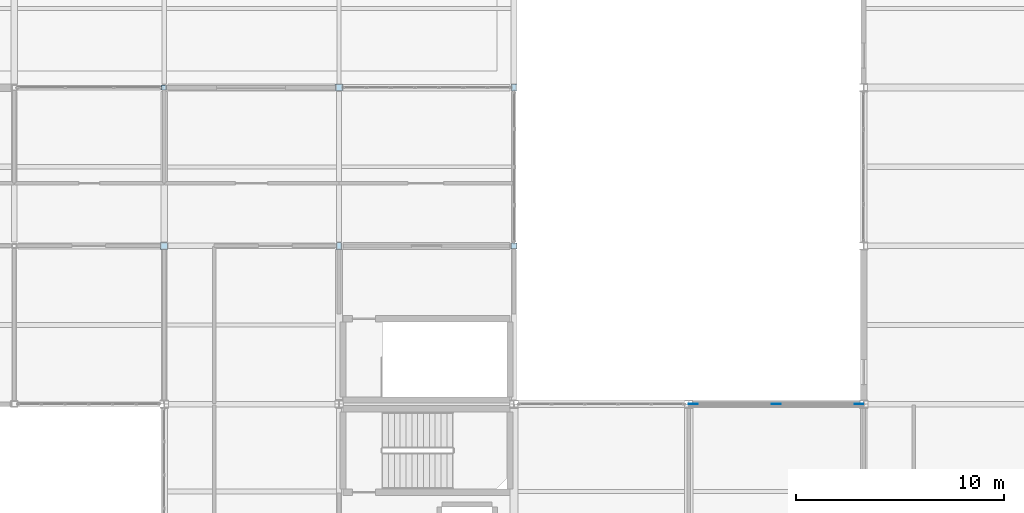
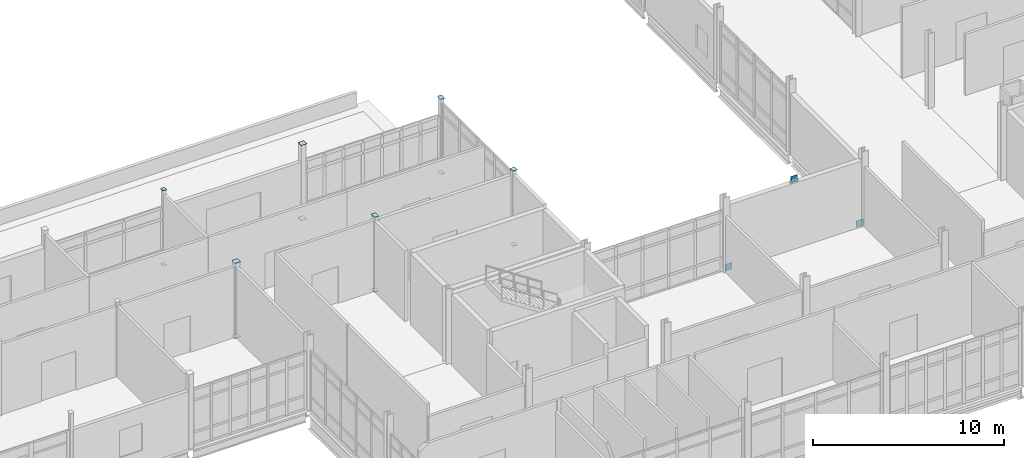
# One storey, part 137 of 186: 15 plates.
"""IFC4 building model written with IfcOpenShell, lengths in metres."""

from ifc_helpers import new_model, si_unit, direction, frame, origin, origin_2d, place, context, subcontext, project, spatial, rectangle, extrude, material, layer, layer_set, type_object, element, save


model = new_model("IFC4")

# Units and contexts
model_context = context("Model", 3, precision=1e-05, world=origin(), true_north=direction((0.0, 1.0)))
body_context = subcontext(model_context, "Body", "Model", "MODEL_VIEW")
ifc_project = project(units=[si_unit("LENGTHUNIT", "METRE"), si_unit("AREAUNIT", "SQUARE_METRE"), si_unit("VOLUMEUNIT", "CUBIC_METRE"), si_unit("PLANEANGLEUNIT", "RADIAN"), si_unit("MASSUNIT", "GRAM", prefix="KILO")], contexts=[model_context])

# Site, building, storey
site_placement = place(None, origin())
site = spatial("IfcSite", under=ifc_project, at=site_placement, CompositionType="ELEMENT")
building_placement = place(site_placement, origin())
building = spatial("IfcBuilding", under=site, at=building_placement, Name="Calvrana Isthmian Art Gallery", CompositionType="ELEMENT")
storey_placement = place(building_placement, frame((0.0, 0.0, 5.39990234375)))
storey = spatial("IfcBuildingStorey", under=building, at=storey_placement, Name="L01", CompositionType="ELEMENT", Elevation=5.39990234375)

# Plates
ifc_material = material(Name="Steel ASTM A572 Gr 50", Category="steel")
ifc_layer_1 = layer(ifc_material, 0.01611328125, Name="Steel ASTM A572 Gr 50")
ifc_layer_set_1 = layer_set([ifc_layer_1], Name="Steel ASTM A572 Gr 50")
plate_type_1 = type_object("IfcPlateType", Name="PL-CAP-16", PredefinedType="SHEET", material=ifc_layer_set_1)
for number, where, z_axis, x_axis, name in (
    (1, (21.60009765625, 54.39990234375, -0.008056640625), (0.0, 0.0, 1.0), (1.0, 0.0, 0.0), "Hollow section end cap plate 033"),
    (2, (21.60009765625, 54.39990234375, 4.7919921875), (0.0, 0.0, 1.0), (1.0, 0.0, 0.0), "Hollow section end cap plate 034"),
):
    element("IfcPlate", number, at=place(storey_placement, frame(where, z_axis=z_axis, x_axis=x_axis)), inside=storey, type_object=plate_type_1, Name=name, PredefinedType="SHEET", context=body_context, shape_type="SweptSolid", body=[
        extrude(rectangle(XDim=0.3447265625, YDim=0.3447265625, at=origin_2d()), origin(), (0.0, 0.0, 1.0), 0.01611328125),
    ])
for number, where, z_axis, x_axis, name in (
    (3, (21.60009765625, 62.0, -0.008056640625), (0.0, 0.0, 1.0), (1.0, 0.0, 0.0), "Hollow section end cap plate 035"),
    (4, (21.60009765625, 62.0, 4.7919921875), (0.0, 0.0, 1.0), (1.0, 0.0, 0.0), "Hollow section end cap plate 036"),
):
    element("IfcPlate", number, at=place(storey_placement, frame(where, z_axis=z_axis, x_axis=x_axis)), inside=storey, type_object=plate_type_1, Name=name, PredefinedType="SHEET", context=body_context, shape_type="SweptSolid", body=[
        extrude(rectangle(XDim=0.2431640625, YDim=0.2431640625, at=origin_2d()), origin(), (0.0, 0.0, 1.0), 0.01611328125),
    ])
for number, where, z_axis, x_axis, name in (
    (5, (30.0, 54.39990234375, -0.008056640625), (0.0, 0.0, 1.0), (1.0, 0.0, 0.0), "Hollow section end cap plate 053"),
    (6, (30.0, 54.39990234375, 4.7919921875), (0.0, 0.0, 1.0), (1.0, 0.0, 0.0), "Hollow section end cap plate 054"),
):
    element("IfcPlate", number, at=place(storey_placement, frame(where, z_axis=z_axis, x_axis=x_axis)), inside=storey, type_object=plate_type_1, Name=name, PredefinedType="SHEET", context=body_context, shape_type="SweptSolid", body=[
        extrude(rectangle(XDim=0.2431640625, YDim=0.3447265625, at=origin_2d()), origin(), (0.0, 0.0, 1.0), 0.01611328125),
    ])
for number, where, z_axis, x_axis, name in (
    (7, (30.0, 62.0, -0.008056640625), (0.0, 0.0, 1.0), (1.0, 0.0, 0.0), "Hollow section end cap plate 055"),
    (8, (30.0, 62.0, 4.7919921875), (0.0, 0.0, 1.0), (1.0, 0.0, 0.0), "Hollow section end cap plate 056"),
):
    element("IfcPlate", number, at=place(storey_placement, frame(where, z_axis=z_axis, x_axis=x_axis)), inside=storey, type_object=plate_type_1, Name=name, PredefinedType="SHEET", context=body_context, shape_type="SweptSolid", body=[
        extrude(rectangle(XDim=0.3447265625, YDim=0.3447265625, at=origin_2d()), origin(), (0.0, 0.0, 1.0), 0.01611328125),
    ])
for number, where, z_axis, x_axis, name in (
    (9, (38.39990234375, 54.39990234375, -0.008056640625), (0.0, 0.0, 1.0), (1.0, 0.0, 0.0), "Hollow section end cap plate 073"),
    (10, (38.39990234375, 54.39990234375, 4.7919921875), (0.0, 0.0, 1.0), (1.0, 0.0, 0.0), "Hollow section end cap plate 074"),
):
    element("IfcPlate", number, at=place(storey_placement, frame(where, z_axis=z_axis, x_axis=x_axis)), inside=storey, type_object=plate_type_1, Name=name, PredefinedType="SHEET", context=body_context, shape_type="SweptSolid", body=[
        extrude(rectangle(XDim=0.2939453125, YDim=0.2939453125, at=origin_2d()), origin(), (0.0, 0.0, 1.0), 0.01611328125),
    ])
for number, where, z_axis, x_axis, name in (
    (11, (38.39990234375, 62.0, -0.008056640625), (0.0, 0.0, 1.0), (1.0, 0.0, 0.0), "Hollow section end cap plate 075"),
    (12, (38.39990234375, 62.0, 4.7919921875), (0.0, 0.0, 1.0), (1.0, 0.0, 0.0), "Hollow section end cap plate 076"),
):
    element("IfcPlate", number, at=place(storey_placement, frame(where, z_axis=z_axis, x_axis=x_axis)), inside=storey, type_object=plate_type_1, Name=name, PredefinedType="SHEET", context=body_context, shape_type="SweptSolid", body=[
        extrude(rectangle(XDim=0.2431640625, YDim=0.3447265625, at=origin_2d()), origin(), (0.0, 0.0, 1.0), 0.01611328125),
    ])
ifc_layer_2 = layer(ifc_material, 0.031982421875, Name="Steel ASTM A572 Gr 50")
ifc_layer_set_2 = layer_set([ifc_layer_2], Name="Steel ASTM A572 Gr 50")
plate_type_2 = type_object("IfcPlateType", Name="PL-GUSSET-32", PredefinedType="USERDEFINED", material=ifc_layer_set_2)
for number, where, z_axis, x_axis, name in (
    (13, (47.02001953125, 46.800048828125, -0.059814453125), (0.0, 0.0, 1.0), (1.0, 0.0, 0.0), "Chevron brace gusset plate L01-3L"),
    (14, (51.0, 46.800048828125, 4.1728515625), (0.0, 0.0, 1.0), (1.0, 0.0, 0.0), "Chevron brace gusset plate L01-3M"),
    (15, (54.97998046875, 46.800048828125, -0.059814453125), (0.0, 0.0, 1.0), (1.0, 0.0, 0.0), "Chevron brace gusset plate L01-3R"),
):
    element("IfcPlate", number, at=place(storey_placement, frame(where, z_axis=z_axis, x_axis=x_axis)), inside=storey, type_object=plate_type_2, Name=name, ObjectType="GUSSET PLATE", PredefinedType="USERDEFINED", context=body_context, shape_type="SweptSolid", body=[
        extrude(rectangle(XDim=0.419921875, YDim=0.031982421875, at=origin_2d()), origin(), (0.0, 0.0, 1.0), 0.419921875),
    ])

save(model, "model.ifc")
